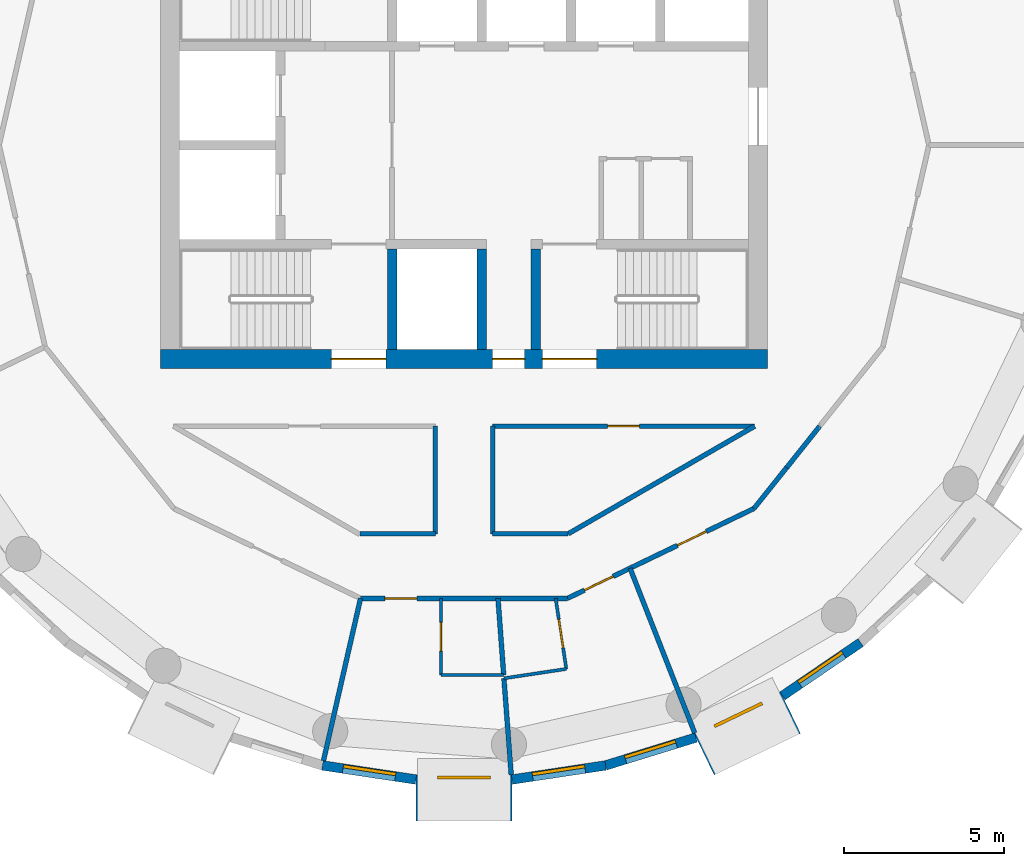
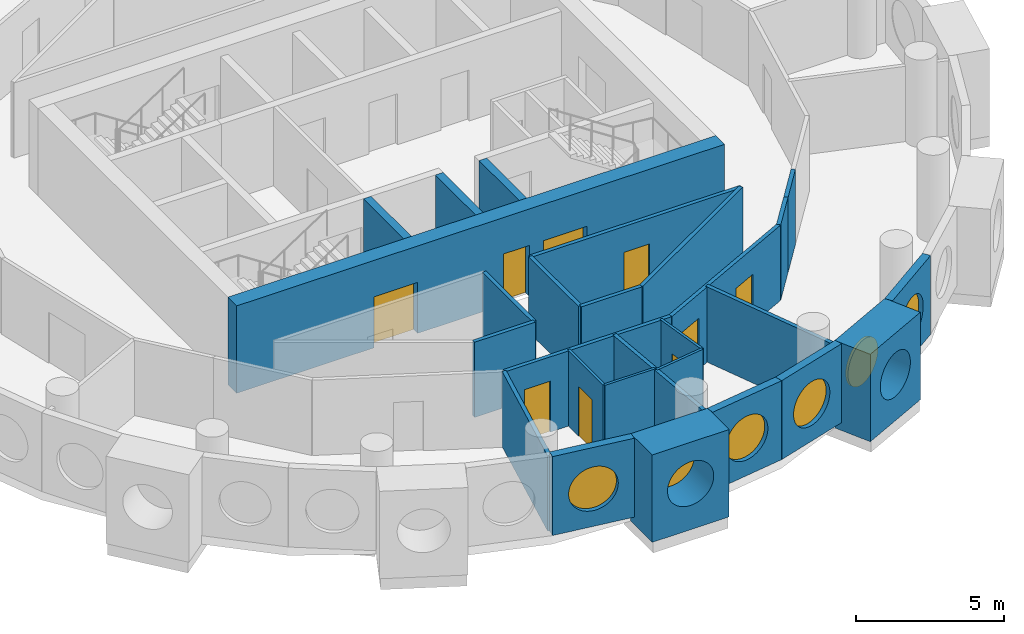
# One storey, part 4 of 13: 28 walls, 9 doors, 6 windows, 15 openings.
"""IFC4 building model written with IfcOpenShell, lengths in metres."""

from ifc_helpers import new_model, si_unit, direction, frame, frame_2d, origin, origin_2d, place, context, subcontext, project, spatial, rectangle, circle, extrude, material, layer, layer_set, type_object, element, fill, save


model = new_model("IFC4")

# Units and contexts
model_context = context("Model", 3, precision=1e-05, world=origin(), true_north=direction((0.0, 1.0)))
body_context = subcontext(model_context, "Body", "Model", "MODEL_VIEW")
ifc_project = project(units=[si_unit("LENGTHUNIT", "METRE"), si_unit("AREAUNIT", "SQUARE_METRE"), si_unit("VOLUMEUNIT", "CUBIC_METRE"), si_unit("PLANEANGLEUNIT", "RADIAN"), si_unit("MASSUNIT", "GRAM", prefix="KILO")], contexts=[model_context])

# Site, building, storey
site_placement = place(None, origin())
site = spatial("IfcSite", under=ifc_project, at=site_placement, CompositionType="ELEMENT")
building_placement = place(site_placement, origin())
building = spatial("IfcBuilding", under=site, at=building_placement, Name="Tracery Tower", CompositionType="ELEMENT")
storey_placement = place(building_placement, frame((0.0, 0.0, 270.60009765625)))
storey = spatial("IfcBuildingStorey", under=building, at=storey_placement, Name="L70", CompositionType="ELEMENT", Elevation=270.60009765625)

# Wall, openings, doors
ifc_material_1 = material(Name="Concrete C40/50", Category="concrete")
ifc_layer_1 = layer(ifc_material_1, 0.60009765625)
ifc_layer_set_1 = layer_set([ifc_layer_1], Name="Core wall 600 C40")
wall_type_1 = type_object("IfcWallType", Name="Core wall 600 C40", PredefinedType="SOLIDWALL", material=ifc_layer_set_1)
wall_1_placement = place(storey_placement, frame((-9.5, -6.699951171875, 0.0), z_axis=(0.0, 0.0, 1.0), x_axis=(1.0, 0.0, 0.0)))
wall_1 = element("IfcWall", 1, at=wall_1_placement, inside=storey, type_object=wall_type_1, Name="L70 outer S", PredefinedType="SOLIDWALL", context=body_context, shape_type="SweptSolid", body=[
    extrude(rectangle(XDim=19.0, YDim=0.60009765625, at=frame_2d((9.5, 0.0))), origin(), (0.0, 0.0, 1.0), 3.599853515625),
])
opening_1_placement = place(wall_1_placement, frame((10.39990234375, 0.0, 0.0)))
opening_1 = element("IfcOpeningElement", 2, at=opening_1_placement, cuts=wall_1, Name="Opening KD16", PredefinedType="OPENING", context=body_context, shape_type="SweptSolid", body=[
    extrude(rectangle(XDim=1.0, YDim=2.10009765625, at=frame_2d((0.5, 1.050048828125))), frame((0.0, 0.300048828125, 0.0), z_axis=(0.0, -1.0, 0.0), x_axis=(1.0, 0.0, 0.0)), (0.0, 0.0, 1.0), 0.60009765625),
])
opening_2_placement = place(wall_1_placement, frame((5.35009765625, 0.0, 0.0)))
opening_2 = element("IfcOpeningElement", 3, at=opening_2_placement, cuts=wall_1, Name="Opening KD3", PredefinedType="OPENING", context=body_context, shape_type="SweptSolid", body=[
    extrude(rectangle(XDim=1.699951171875, YDim=2.10009765625, at=frame_2d((0.85009765625, 1.050048828125))), frame((0.0, 0.300048828125, 0.0), z_axis=(0.0, -1.0, 0.0), x_axis=(1.0, 0.0, 0.0)), (0.0, 0.0, 1.0), 0.60009765625),
])
opening_3_placement = place(wall_1_placement, frame((11.949951171875, 0.0, 0.0)))
opening_3 = element("IfcOpeningElement", 4, at=opening_3_placement, cuts=wall_1, Name="Opening KD3", PredefinedType="OPENING", context=body_context, shape_type="SweptSolid", body=[
    extrude(rectangle(XDim=1.699951171875, YDim=2.10009765625, at=frame_2d((0.85009765625, 1.050048828125))), frame((0.0, 0.300048828125, 0.0), z_axis=(0.0, -1.0, 0.0), x_axis=(1.0, 0.0, 0.0)), (0.0, 0.0, 1.0), 0.60009765625),
])
ifc_material_2 = material(Name="Steel fire door", Category="steel")
door_type_1 = type_object("IfcDoorType", Name="Core exit door 1000", OperationType="NOTDEFINED", PredefinedType="DOOR", material=ifc_material_2)
door_1_placement = place(opening_1_placement, origin())
door_1 = element("IfcDoor", 5, at=door_1_placement, inside=storey, type_object=door_type_1, Name="Core exit door", OperationType="SINGLE_SWING_LEFT", OverallHeight=2.10009765625, OverallWidth=1.0, PredefinedType="DOOR", context=body_context, shape_type="SweptSolid", body=[
    extrude(rectangle(XDim=1.0, YDim=2.10009765625, at=frame_2d((0.5, 1.050048828125))), frame((0.0, 0.02490234375, 0.0), z_axis=(0.0, -1.0, 0.0), x_axis=(1.0, 0.0, 0.0)), (0.0, 0.0, 1.0), 0.050048828125),
])
fill(opening_1, door_1)
ifc_material_3 = material(Name="Steel fire door", Category="steel")
door_type_2 = type_object("IfcDoorType", Name="Core stair door 1700 double", OperationType="NOTDEFINED", PredefinedType="DOOR", material=ifc_material_3)
door_2_placement = place(opening_2_placement, origin())
door_2 = element("IfcDoor", 6, at=door_2_placement, inside=storey, type_object=door_type_2, Name="Stair door ST1 exit", OperationType="DOUBLE_DOOR_SINGLE_SWING", OverallHeight=2.10009765625, OverallWidth=1.699951171875, PredefinedType="DOOR", context=body_context, shape_type="SweptSolid", body=[
    extrude(rectangle(XDim=1.699951171875, YDim=2.10009765625, at=frame_2d((0.85009765625, 1.050048828125))), frame((0.0, 0.02490234375, 0.0), z_axis=(0.0, -1.0, 0.0), x_axis=(1.0, 0.0, 0.0)), (0.0, 0.0, 1.0), 0.050048828125),
])
fill(opening_2, door_2)
door_3_placement = place(opening_3_placement, origin())
door_3 = element("IfcDoor", 7, at=door_3_placement, inside=storey, type_object=door_type_2, Name="Stair door ST2 exit", OperationType="DOUBLE_DOOR_SINGLE_SWING", OverallHeight=2.10009765625, OverallWidth=1.699951171875, PredefinedType="DOOR", context=body_context, shape_type="SweptSolid", body=[
    extrude(rectangle(XDim=1.699951171875, YDim=2.10009765625, at=frame_2d((0.85009765625, 1.050048828125))), frame((0.0, 0.02490234375, 0.0), z_axis=(0.0, -1.0, 0.0), x_axis=(1.0, 0.0, 0.0)), (0.0, 0.0, 1.0), 0.050048828125),
])
fill(opening_3, door_3)

# Wall, opening, window
ifc_material_4 = material(Name="Precast concrete C50/60", Category="concrete")
ifc_layer_2 = layer(ifc_material_4, 1.449951171875)
ifc_layer_set_2 = layer_set([ifc_layer_2], Name="Deep-set bay unit 3000 x 3600, slab edge 350")
wall_type_2 = type_object("IfcWallType", Name="Deep-set bay unit 3000 x 3600, slab edge 350", PredefinedType="ELEMENTEDWALL", material=ifc_layer_set_2)
wall_2_placement = place(storey_placement, frame((-1.5, -20.441162109375, -0.35009765625), z_axis=(0.0, 0.0, 1.0), x_axis=(1.0, 0.0, 0.0)))
wall_2 = element("IfcWall", 8, at=wall_2_placement, inside=storey, type_object=wall_type_2, Name="Deep-set bay unit 32 at L70", PredefinedType="ELEMENTEDWALL", context=body_context, shape_type="SweptSolid", body=[
    extrude(rectangle(XDim=3.0, YDim=1.449951171875, at=frame_2d((1.5, 0.0))), origin(), (0.0, 0.0, 1.0), 3.60009765625),
])
opening_4_placement = place(wall_2_placement, frame((1.5, 0.0, 1.89990234375)))
opening_4 = element("IfcOpeningElement", 9, at=opening_4_placement, cuts=wall_2, Name="Opening WN1", PredefinedType="OPENING", context=body_context, shape_type="SweptSolid", body=[
    extrude(circle(Radius=0.9000244140625, at=origin_2d()), frame((0.0, 0.73486328125, 0.0), z_axis=(0.0, -1.0, 0.0), x_axis=(1.0, 0.0, 0.0)), (0.0, 0.0, 1.0), 1.469970703125),
])
ifc_material_5 = material(Name="Aluminium frame with tinted double glazing", Category="aluminium")
window_type = type_object("IfcWindowType", Name="Round window 1800", PartitioningType="SINGLE_PANEL", PredefinedType="WINDOW", material=ifc_material_5)
window_1_placement = place(opening_4_placement, origin())
window_1 = element("IfcWindow", 10, at=window_1_placement, inside=storey, type_object=window_type, Name="Round window 32 at L70", OverallHeight=1.800048828125, OverallWidth=1.800048828125, PartitioningType="SINGLE_PANEL", PredefinedType="WINDOW", context=body_context, shape_type="SweptSolid", body=[
    extrude(circle(Radius=0.9000244140625, at=origin_2d()), frame((0.0, 0.69482421875, 0.0), z_axis=(0.0, -1.0, 0.0), x_axis=(1.0, 0.0, 0.0)), (0.0, 0.0, 1.0), 0.10009765625),
])
fill(opening_4, window_1)

wall_3_placement = place(storey_placement, frame((7.517578125, -19.067626953125, -0.35009765625), z_axis=(0.0, 0.0, 1.0), x_axis=(0.900953362039, 0.433915935904, 0.0)))
wall_3 = element("IfcWall", 11, at=wall_3_placement, inside=storey, type_object=wall_type_2, Name="Deep-set bay unit 35 at L70", PredefinedType="ELEMENTEDWALL", context=body_context, shape_type="SweptSolid", body=[
    extrude(rectangle(XDim=3.0, YDim=1.449951171875, at=frame_2d((1.5, 0.0))), origin(), (0.0, 0.0, 1.0), 3.60009765625),
])
opening_5_placement = place(wall_3_placement, frame((1.5, 0.0, 1.89990234375)))
opening_5 = element("IfcOpeningElement", 12, at=opening_5_placement, cuts=wall_3, Name="Opening WN1", PredefinedType="OPENING", context=body_context, shape_type="SweptSolid", body=[
    extrude(circle(Radius=0.9000244140625, at=origin_2d()), frame((0.0, 0.73486328125, 0.0), z_axis=(0.0, -1.0, 0.0), x_axis=(1.0, 0.0, 0.0)), (0.0, 0.0, 1.0), 1.469970703125),
])
window_2_placement = place(opening_5_placement, origin())
window_2 = element("IfcWindow", 13, at=window_2_placement, inside=storey, type_object=window_type, Name="Round window 35 at L70", OverallHeight=1.800048828125, OverallWidth=1.800048828125, PartitioningType="SINGLE_PANEL", PredefinedType="WINDOW", context=body_context, shape_type="SweptSolid", body=[
    extrude(circle(Radius=0.9000244140625, at=origin_2d()), frame((0.0, 0.69482421875, 0.0), z_axis=(0.0, -1.0, 0.0), x_axis=(1.0, 0.0, 0.0)), (0.0, 0.0, 1.0), 0.10009765625),
])
fill(opening_5, window_2)

ifc_material_6 = material(Name="Precast concrete C50/60", Category="concrete")
ifc_layer_3 = layer(ifc_material_6, 0.300048828125)
ifc_layer_set_3 = layer_set([ifc_layer_3], Name="Facade panel 3000 x 3250")
wall_type_3 = type_object("IfcWallType", Name="Facade panel 3000 x 3250", PredefinedType="SOLIDWALL", material=ifc_layer_set_3)
wall_4_placement = place(storey_placement, frame((-4.43310546875, -19.42236328125, 0.0), z_axis=(0.0, 0.0, 1.0), x_axis=(0.988835775663, -0.149009425104, 0.0)))
wall_4 = element("IfcWall", 14, at=wall_4_placement, inside=storey, type_object=wall_type_3, Name="Facade panel 31 at L70", PredefinedType="SOLIDWALL", context=body_context, shape_type="SweptSolid", body=[
    extrude(rectangle(XDim=2.962158203125, YDim=0.300048828125, at=frame_2d((1.48095703125, 0.0))), origin(), (0.0, 0.0, 1.0), 3.25),
])
opening_6_placement = place(wall_4_placement, frame((1.48095703125, 0.0, 1.5498046875)))
opening_6 = element("IfcOpeningElement", 15, at=opening_6_placement, cuts=wall_4, Name="Opening WN1", PredefinedType="OPENING", context=body_context, shape_type="SweptSolid", body=[
    extrude(circle(Radius=0.9000244140625, at=origin_2d()), frame((0.0, 0.159912109375, 0.0), z_axis=(0.0, -1.0, 0.0), x_axis=(1.0, 0.0, 0.0)), (0.0, 0.0, 1.0), 0.320068359375),
])
window_3_placement = place(opening_6_placement, origin())
window_3 = element("IfcWindow", 16, at=window_3_placement, inside=storey, type_object=window_type, Name="Round window 31 at L70", OverallHeight=1.800048828125, OverallWidth=1.800048828125, PartitioningType="SINGLE_PANEL", PredefinedType="WINDOW", context=body_context, shape_type="SweptSolid", body=[
    extrude(circle(Radius=0.9000244140625, at=origin_2d()), frame((0.0, 0.1201171875, 0.0), z_axis=(0.0, -1.0, 0.0), x_axis=(1.0, 0.0, 0.0)), (0.0, 0.0, 1.0), 0.10009765625),
])
fill(opening_6, window_3)

wall_5_placement = place(storey_placement, frame((1.50390625, -19.86376953125, 0.0), z_axis=(0.0, 0.0, 1.0), x_axis=(0.988835775663, 0.149009425104, 0.0)))
wall_5 = element("IfcWall", 17, at=wall_5_placement, inside=storey, type_object=wall_type_3, Name="Facade panel 33 at L70", PredefinedType="SOLIDWALL", context=body_context, shape_type="SweptSolid", body=[
    extrude(rectangle(XDim=2.962158203125, YDim=0.300048828125, at=frame_2d((1.48095703125, 0.0))), origin(), (0.0, 0.0, 1.0), 3.25),
])
opening_7_placement = place(wall_5_placement, frame((1.48095703125, 0.0, 1.5498046875)))
opening_7 = element("IfcOpeningElement", 18, at=opening_7_placement, cuts=wall_5, Name="Opening WN1", PredefinedType="OPENING", context=body_context, shape_type="SweptSolid", body=[
    extrude(circle(Radius=0.9000244140625, at=origin_2d()), frame((0.0, 0.159912109375, 0.0), z_axis=(0.0, -1.0, 0.0), x_axis=(1.0, 0.0, 0.0)), (0.0, 0.0, 1.0), 0.320068359375),
])
window_4_placement = place(opening_7_placement, origin())
window_4 = element("IfcWindow", 19, at=window_4_placement, inside=storey, type_object=window_type, Name="Round window 33 at L70", OverallHeight=1.800048828125, OverallWidth=1.800048828125, PartitioningType="SINGLE_PANEL", PredefinedType="WINDOW", context=body_context, shape_type="SweptSolid", body=[
    extrude(circle(Radius=0.9000244140625, at=origin_2d()), frame((0.0, 0.1201171875, 0.0), z_axis=(0.0, -1.0, 0.0), x_axis=(1.0, 0.0, 0.0)), (0.0, 0.0, 1.0), 0.10009765625),
])
fill(opening_7, window_4)

wall_6_placement = place(storey_placement, frame((4.43310546875, -19.42236328125, 0.0), z_axis=(0.0, 0.0, 1.0), x_axis=(0.955555982805, 0.29480970765, 0.0)))
wall_6 = element("IfcWall", 20, at=wall_6_placement, inside=storey, type_object=wall_type_3, Name="Facade panel 34 at L70", PredefinedType="SOLIDWALL", context=body_context, shape_type="SweptSolid", body=[
    extrude(rectangle(XDim=2.962158203125, YDim=0.300048828125, at=frame_2d((1.48095703125, 0.0))), origin(), (0.0, 0.0, 1.0), 3.25),
])
opening_8_placement = place(wall_6_placement, frame((1.48095703125, 0.0, 1.5498046875)))
opening_8 = element("IfcOpeningElement", 21, at=opening_8_placement, cuts=wall_6, Name="Opening WN1", PredefinedType="OPENING", context=body_context, shape_type="SweptSolid", body=[
    extrude(circle(Radius=0.9000244140625, at=origin_2d()), frame((0.0, 0.159912109375, 0.0), z_axis=(0.0, -1.0, 0.0), x_axis=(1.0, 0.0, 0.0)), (0.0, 0.0, 1.0), 0.320068359375),
])
window_5_placement = place(opening_8_placement, origin())
window_5 = element("IfcWindow", 22, at=window_5_placement, inside=storey, type_object=window_type, Name="Round window 34 at L70", OverallHeight=1.800048828125, OverallWidth=1.800048828125, PartitioningType="SINGLE_PANEL", PredefinedType="WINDOW", context=body_context, shape_type="SweptSolid", body=[
    extrude(circle(Radius=0.9000244140625, at=origin_2d()), frame((0.0, 0.1201171875, 0.0), z_axis=(0.0, -1.0, 0.0), x_axis=(1.0, 0.0, 0.0)), (0.0, 0.0, 1.0), 0.10009765625),
])
fill(opening_8, window_5)

wall_7_placement = place(storey_placement, frame((9.9736328125, -17.244140625, 0.0), z_axis=(0.0, 0.0, 1.0), x_axis=(0.826236061068, 0.563324037646, 0.0)))
wall_7 = element("IfcWall", 23, at=wall_7_placement, inside=storey, type_object=wall_type_3, Name="Facade panel 36 at L70", PredefinedType="SOLIDWALL", context=body_context, shape_type="SweptSolid", body=[
    extrude(rectangle(XDim=2.962158203125, YDim=0.300048828125, at=frame_2d((1.48095703125, 0.0))), origin(), (0.0, 0.0, 1.0), 3.25),
])
opening_9_placement = place(wall_7_placement, frame((1.48095703125, 0.0, 1.5498046875)))
opening_9 = element("IfcOpeningElement", 24, at=opening_9_placement, cuts=wall_7, Name="Opening WN1", PredefinedType="OPENING", context=body_context, shape_type="SweptSolid", body=[
    extrude(circle(Radius=0.9000244140625, at=origin_2d()), frame((0.0, 0.159912109375, 0.0), z_axis=(0.0, -1.0, 0.0), x_axis=(1.0, 0.0, 0.0)), (0.0, 0.0, 1.0), 0.320068359375),
])
window_6_placement = place(opening_9_placement, origin())
window_6 = element("IfcWindow", 25, at=window_6_placement, inside=storey, type_object=window_type, Name="Round window 36 at L70", OverallHeight=1.800048828125, OverallWidth=1.800048828125, PartitioningType="SINGLE_PANEL", PredefinedType="WINDOW", context=body_context, shape_type="SweptSolid", body=[
    extrude(circle(Radius=0.9000244140625, at=origin_2d()), frame((0.0, 0.1201171875, 0.0), z_axis=(0.0, -1.0, 0.0), x_axis=(1.0, 0.0, 0.0)), (0.0, 0.0, 1.0), 0.10009765625),
])
fill(opening_9, window_6)

# Wall, opening, door
ifc_material_7 = material(Name="Plasterboard on steel studs", Category="steel")
ifc_layer_4 = layer(ifc_material_7, 0.10009765625)
ifc_layer_set_4 = layer_set([ifc_layer_4], Name="Partition 100 wet wall")
wall_type_4 = type_object("IfcWallType", Name="Partition 100 wet wall", PredefinedType="PARTITIONING", material=ifc_layer_set_4)
wall_8_placement = place(storey_placement, frame((-0.721923828125, -16.592041015625, 0.0), z_axis=(0.0, 0.0, 1.0), x_axis=(0.0, 1.0, 0.0)))
wall_8 = element("IfcWall", 26, at=wall_8_placement, inside=storey, type_object=wall_type_4, Name="Wet wall RC5-049", PredefinedType="PARTITIONING", context=body_context, shape_type="SweptSolid", body=[
    extrude(rectangle(XDim=2.400146484375, YDim=0.10009765625, at=frame_2d((1.2001953125, 0.0))), origin(), (0.0, 0.0, 1.0), 3.099853515625),
])
opening_10_placement = place(wall_8_placement, frame((0.75, 0.0, 0.0)))
opening_10 = element("IfcOpeningElement", 27, at=opening_10_placement, cuts=wall_8, Name="Opening RC5-09", PredefinedType="OPENING", context=body_context, shape_type="SweptSolid", body=[
    extrude(rectangle(XDim=0.89990234375, YDim=2.0400390625, at=frame_2d((0.449951171875, 1.02001953125))), frame((0.0, 0.050048828125, 0.0), z_axis=(0.0, -1.0, 0.0), x_axis=(1.0, 0.0, 0.0)), (0.0, 0.0, 1.0), 0.10009765625),
])
ifc_material_8 = material(Name="Timber door leaf", Category="wood")
door_type_3 = type_object("IfcDoorType", Name="Door en-suite 900", OperationType="NOTDEFINED", PredefinedType="DOOR", material=ifc_material_8)
door_4_placement = place(opening_10_placement, origin())
door_4 = element("IfcDoor", 28, at=door_4_placement, inside=storey, type_object=door_type_3, Name="En-suite door RC5-09", OperationType="SINGLE_SWING_RIGHT", OverallHeight=2.0400390625, OverallWidth=0.89990234375, PredefinedType="DOOR", context=body_context, shape_type="SweptSolid", body=[
    extrude(rectangle(XDim=0.89990234375, YDim=2.0400390625, at=frame_2d((0.449951171875, 1.02001953125))), frame((0.0, 0.02490234375, 0.0), z_axis=(0.0, -1.0, 0.0), x_axis=(1.0, 0.0, 0.0)), (0.0, 0.0, 1.0), 0.050048828125),
])
fill(opening_10, door_4)

# Walls
wall_9_placement = place(storey_placement, frame((-0.721923828125, -16.592041015625, 0.0), z_axis=(0.0, 0.0, 1.0), x_axis=(1.0, 0.0, 0.0)))
element("IfcWall", 29, at=wall_9_placement, inside=storey, type_object=wall_type_4, Name="Wet wall RC5-050", PredefinedType="PARTITIONING", context=body_context, shape_type="SweptSolid", body=[
    extrude(rectangle(XDim=1.96484375, YDim=0.10009765625, at=frame_2d((0.982421875, 0.0))), origin(), (0.0, 0.0, 1.0), 3.099853515625),
])
wall_10_placement = place(storey_placement, frame((1.2509765625, -16.695068359375, 0.0), z_axis=(0.0, 0.0, 1.0), x_axis=(0.988831780565, 0.149035934407, 0.0)))
element("IfcWall", 30, at=wall_10_placement, inside=storey, type_object=wall_type_4, Name="Wet wall RC5-053", PredefinedType="PARTITIONING", context=body_context, shape_type="SweptSolid", body=[
    extrude(rectangle(XDim=1.973876953125, YDim=0.10009765625, at=frame_2d((0.98681640625, 0.0))), origin(), (0.0, 0.0, 1.0), 3.099853515625),
])

# Wall, opening, door
wall_11_placement = place(storey_placement, frame((2.8701171875, -14.19189453125, 0.0), z_axis=(0.0, 0.0, 1.0), x_axis=(0.148960349288, -0.988843169739, 0.0)))
wall_11 = element("IfcWall", 31, at=wall_11_placement, inside=storey, type_object=wall_type_4, Name="Wet wall RC5-054", PredefinedType="PARTITIONING", context=body_context, shape_type="SweptSolid", body=[
    extrude(rectangle(XDim=2.23388671875, YDim=0.10009765625, at=frame_2d((1.116943359375, 0.0))), origin(), (0.0, 0.0, 1.0), 3.099853515625),
])
opening_11_placement = place(wall_11_placement, frame((0.6669921875, 0.0, 0.0)))
opening_11 = element("IfcOpeningElement", 32, at=opening_11_placement, cuts=wall_11, Name="Opening RC5-11", PredefinedType="OPENING", context=body_context, shape_type="SweptSolid", body=[
    extrude(rectangle(XDim=0.89990234375, YDim=2.0400390625, at=frame_2d((0.449951171875, 1.02001953125))), frame((0.0, 0.050048828125, 0.0), z_axis=(0.0, -1.0, 0.0), x_axis=(1.0, 0.0, 0.0)), (0.0, 0.0, 1.0), 0.10009765625),
])
door_5_placement = place(opening_11_placement, origin())
door_5 = element("IfcDoor", 33, at=door_5_placement, inside=storey, type_object=door_type_3, Name="En-suite door RC5-11", OperationType="SINGLE_SWING_RIGHT", OverallHeight=2.0400390625, OverallWidth=0.89990234375, PredefinedType="DOOR", context=body_context, shape_type="SweptSolid", body=[
    extrude(rectangle(XDim=0.89990234375, YDim=2.0400390625, at=frame_2d((0.449951171875, 1.02001953125))), frame((0.0, 0.02490234375, 0.0), z_axis=(0.0, -1.0, 0.0), x_axis=(1.0, 0.0, 0.0)), (0.0, 0.0, 1.0), 0.050048828125),
])
fill(opening_11, door_5)

# Walls
ifc_material_9 = material(Name="Plasterboard on steel studs", Category="steel")
ifc_layer_5 = layer(ifc_material_9, 0.14990234375)
ifc_layer_set_5 = layer_set([ifc_layer_5], Name="Partition 150 acoustic unit wall")
wall_type_5 = type_object("IfcWallType", Name="Partition 150 acoustic unit wall", PredefinedType="PARTITIONING", material=ifc_layer_set_5)
wall_12_placement = place(storey_placement, frame((-4.39990234375, -19.27587890625, 0.0), z_axis=(0.0, 0.0, 1.0), x_axis=(0.222612505682, 0.974907007008, 0.0)))
element("IfcWall", 34, at=wall_12_placement, inside=storey, type_object=wall_type_5, Name="Unit wall RC5-048", PredefinedType="PARTITIONING", context=body_context, shape_type="SweptSolid", body=[
    extrude(rectangle(XDim=5.21484375, YDim=0.14990234375, at=frame_2d((2.607421875, 0.0))), origin(), (0.0, 0.0, 1.0), 3.099853515625),
])
wall_13_placement = place(storey_placement, frame((1.25, -16.69091796875, 0.0), z_axis=(0.0, 0.0, 1.0), x_axis=(0.075164061246, -0.99717118084, 0.0)))
element("IfcWall", 35, at=wall_13_placement, inside=storey, type_object=wall_type_5, Name="Unit wall RC5-051", PredefinedType="PARTITIONING", context=body_context, shape_type="SweptSolid", body=[
    extrude(rectangle(XDim=3.03369140625, YDim=0.14990234375, at=frame_2d((1.516845703125, 0.0))), origin(), (0.0, 0.0, 1.0), 3.099853515625),
])
wall_14_placement = place(storey_placement, frame((1.06396484375, -14.19189453125, 0.0), z_axis=(0.0, 0.0, 1.0), x_axis=(0.074353677934, -0.997231934195, 0.0)))
element("IfcWall", 36, at=wall_14_placement, inside=storey, type_object=wall_type_5, Name="Unit wall RC5-052", PredefinedType="PARTITIONING", context=body_context, shape_type="SweptSolid", body=[
    extrude(rectangle(XDim=2.40673828125, YDim=0.14990234375, at=frame_2d((1.203369140625, 0.0))), origin(), (0.0, 0.0, 1.0), 3.099853515625),
])
wall_15_placement = place(storey_placement, frame((5.198974609375, -13.248046875, 0.0), z_axis=(0.0, 0.0, 1.0), x_axis=(0.365334662456, -0.930876245485, 0.0)))
element("IfcWall", 37, at=wall_15_placement, inside=storey, type_object=wall_type_5, Name="Unit wall RC5-055", PredefinedType="PARTITIONING", context=body_context, shape_type="SweptSolid", body=[
    extrude(rectangle(XDim=5.5400390625, YDim=0.14990234375, at=frame_2d((2.77001953125, 0.0))), origin(), (0.0, 0.0, 1.0), 3.099853515625),
])

# Wall, opening, door
ifc_material_10 = material(Name="Plasterboard on steel studs", Category="steel")
ifc_layer_6 = layer(ifc_material_10, 0.14990234375)
ifc_layer_set_6 = layer_set([ifc_layer_6], Name="Partition 150 corridor wall")
wall_type_6 = type_object("IfcWallType", Name="Partition 150 corridor wall", PredefinedType="PARTITIONING", material=ifc_layer_set_6)
wall_16_placement = place(storey_placement, frame((0.89599609375, -8.800048828125, 0.0), z_axis=(0.0, 0.0, 1.0), x_axis=(1.0, 0.0, 0.0)))
wall_16 = element("IfcWall", 38, at=wall_16_placement, inside=storey, type_object=wall_type_6, Name="Corridor wall RC5-013", PredefinedType="PARTITIONING", context=body_context, shape_type="SweptSolid", body=[
    extrude(rectangle(XDim=8.20458984375, YDim=0.14990234375, at=frame_2d((4.102294921875, 0.0))), origin(), (0.0, 0.0, 1.0), 3.099853515625),
])
opening_12_placement = place(wall_16_placement, frame((3.597900390625, 0.0, 0.0)))
opening_12 = element("IfcOpeningElement", 39, at=opening_12_placement, cuts=wall_16, Name="Opening RC5-03", PredefinedType="OPENING", context=body_context, shape_type="SweptSolid", body=[
    extrude(rectangle(XDim=1.0, YDim=2.0400390625, at=frame_2d((0.5, 1.02001953125))), frame((0.0, 0.074951171875, 0.0), z_axis=(0.0, -1.0, 0.0), x_axis=(1.0, 0.0, 0.0)), (0.0, 0.0, 1.0), 0.14990234375),
])
ifc_material_11 = material(Name="Timber door leaf", Category="wood")
door_type_4 = type_object("IfcDoorType", Name="Door communal room 1000", OperationType="NOTDEFINED", PredefinedType="DOOR", material=ifc_material_11)
door_6_placement = place(opening_12_placement, origin())
door_6 = element("IfcDoor", 40, at=door_6_placement, inside=storey, type_object=door_type_4, Name="Communal room door RC5-03", OperationType="SINGLE_SWING_RIGHT", OverallHeight=2.0400390625, OverallWidth=1.0, PredefinedType="DOOR", context=body_context, shape_type="SweptSolid", body=[
    extrude(rectangle(XDim=1.0, YDim=2.0400390625, at=frame_2d((0.5, 1.02001953125))), frame((0.0, 0.02490234375, 0.0), z_axis=(0.0, -1.0, 0.0), x_axis=(1.0, 0.0, 0.0)), (0.0, 0.0, 1.0), 0.050048828125),
])
fill(opening_12, door_6)

# Walls
wall_17_placement = place(storey_placement, frame((10.10107421875, -10.10107421875, 0.0), z_axis=(0.0, 0.0, 1.0), x_axis=(0.623098344652, 0.782143498913, 0.0)))
element("IfcWall", 41, at=wall_17_placement, inside=storey, type_object=wall_type_6, Name="Corridor wall RC5-019", PredefinedType="PARTITIONING", context=body_context, shape_type="SweptSolid", body=[
    extrude(rectangle(XDim=1.660888671875, YDim=0.14990234375, at=frame_2d((0.83056640625, 0.0))), origin(), (0.0, 0.0, 1.0), 3.099853515625),
])
wall_18_placement = place(storey_placement, frame((-3.260986328125, -12.1708984375, 0.0), z_axis=(0.0, 0.0, 1.0), x_axis=(1.0, 0.0, 0.0)))
element("IfcWall", 42, at=wall_18_placement, inside=storey, type_object=wall_type_6, Name="Corridor wall RC5-034", PredefinedType="PARTITIONING", context=body_context, shape_type="SweptSolid", body=[
    extrude(rectangle(XDim=2.361083984375, YDim=0.14990234375, at=frame_2d((1.1806640625, 0.0))), origin(), (0.0, 0.0, 1.0), 3.099853515625),
])
for number, where, z_axis, x_axis, name in (
    (43, (-0.89990234375, -12.1708984375, 0.0), (0.0, 0.0, 1.0), (0.0, 1.0, 0.0), "Corridor wall RC5-035"),
    (44, (0.89990234375, -12.1708984375, 0.0), (0.0, 0.0, 1.0), (0.0, 1.0, 0.0), "Corridor wall RC5-036"),
):
    element("IfcWall", number, at=place(storey_placement, frame(where, z_axis=z_axis, x_axis=x_axis)), inside=storey, type_object=wall_type_6, Name=name, PredefinedType="PARTITIONING", context=body_context, shape_type="SweptSolid", body=[
        extrude(rectangle(XDim=3.370849609375, YDim=0.14990234375, at=frame_2d((1.685546875, 0.0))), origin(), (0.0, 0.0, 1.0), 3.099853515625),
    ])
wall_19_placement = place(storey_placement, frame((0.89990234375, -12.1708984375, 0.0), z_axis=(0.0, 0.0, 1.0), x_axis=(1.0, 0.0, 0.0)))
element("IfcWall", 45, at=wall_19_placement, inside=storey, type_object=wall_type_6, Name="Corridor wall RC5-037", PredefinedType="PARTITIONING", context=body_context, shape_type="SweptSolid", body=[
    extrude(rectangle(XDim=2.361083984375, YDim=0.14990234375, at=frame_2d((1.1806640625, 0.0))), origin(), (0.0, 0.0, 1.0), 3.099853515625),
])
wall_20_placement = place(storey_placement, frame((3.260986328125, -12.1708984375, 0.0), z_axis=(0.0, 0.0, 1.0), x_axis=(0.866066809554, 0.499928276245, 0.0)))
element("IfcWall", 46, at=wall_20_placement, inside=storey, type_object=wall_type_6, Name="Corridor wall RC5-038", PredefinedType="PARTITIONING", context=body_context, shape_type="SweptSolid", body=[
    extrude(rectangle(XDim=6.74267578125, YDim=0.14990234375, at=frame_2d((3.371337890625, 0.0))), origin(), (0.0, 0.0, 1.0), 3.099853515625),
])

# Wall, opening, door
wall_21_placement = place(storey_placement, frame((-3.239013671875, -14.19189453125, 0.0), z_axis=(0.0, 0.0, 1.0), x_axis=(1.0, 0.0, 0.0)))
wall_21 = element("IfcWall", 47, at=wall_21_placement, inside=storey, type_object=wall_type_6, Name="Corridor wall RC5-040", PredefinedType="PARTITIONING", context=body_context, shape_type="SweptSolid", body=[
    extrude(rectangle(XDim=6.47802734375, YDim=0.14990234375, at=frame_2d((3.239013671875, 0.0))), origin(), (0.0, 0.0, 1.0), 3.099853515625),
])
opening_13_placement = place(wall_21_placement, frame((0.760986328125, 0.0, 0.0)))
opening_13 = element("IfcOpeningElement", 48, at=opening_13_placement, cuts=wall_21, Name="Opening RC5-10", PredefinedType="OPENING", context=body_context, shape_type="SweptSolid", body=[
    extrude(rectangle(XDim=1.0, YDim=2.10009765625, at=frame_2d((0.5, 1.050048828125))), frame((0.0, 0.074951171875, 0.0), z_axis=(0.0, -1.0, 0.0), x_axis=(1.0, 0.0, 0.0)), (0.0, 0.0, 1.0), 0.14990234375),
])
ifc_material_12 = material(Name="Timber door leaf", Category="wood")
door_type_5 = type_object("IfcDoorType", Name="Door unit entrance 1000", OperationType="NOTDEFINED", PredefinedType="DOOR", material=ifc_material_12)
door_7_placement = place(opening_13_placement, origin())
door_7 = element("IfcDoor", 49, at=door_7_placement, inside=storey, type_object=door_type_5, Name="Unit entrance door RC5-10", OperationType="SINGLE_SWING_LEFT", OverallHeight=2.10009765625, OverallWidth=1.0, PredefinedType="DOOR", context=body_context, shape_type="SweptSolid", body=[
    extrude(rectangle(XDim=1.0, YDim=2.10009765625, at=frame_2d((0.5, 1.050048828125))), frame((0.0, 0.02490234375, 0.0), z_axis=(0.0, -1.0, 0.0), x_axis=(1.0, 0.0, 0.0)), (0.0, 0.0, 1.0), 0.050048828125),
])
fill(opening_13, door_7)

# Wall, openings, doors
wall_22_placement = place(storey_placement, frame((3.239013671875, -14.19189453125, 0.0), z_axis=(0.0, 0.0, 1.0), x_axis=(0.900851590682, 0.434127183629, 0.0)))
wall_22 = element("IfcWall", 50, at=wall_22_placement, inside=storey, type_object=wall_type_6, Name="Corridor wall RC5-041", PredefinedType="PARTITIONING", context=body_context, shape_type="SweptSolid", body=[
    extrude(rectangle(XDim=6.478515625, YDim=0.14990234375, at=frame_2d((3.2392578125, 0.0))), origin(), (0.0, 0.0, 1.0), 3.099853515625),
])
opening_14_placement = place(wall_22_placement, frame((0.589111328125, 0.0, 0.0)))
opening_14 = element("IfcOpeningElement", 51, at=opening_14_placement, cuts=wall_22, Name="Opening RC5-12", PredefinedType="OPENING", context=body_context, shape_type="SweptSolid", body=[
    extrude(rectangle(XDim=1.0, YDim=2.10009765625, at=frame_2d((0.5, 1.050048828125))), frame((0.0, 0.074951171875, 0.0), z_axis=(0.0, -1.0, 0.0), x_axis=(1.0, 0.0, 0.0)), (0.0, 0.0, 1.0), 0.14990234375),
])
opening_15_placement = place(wall_22_placement, frame((3.82470703125, 0.0, 0.0)))
opening_15 = element("IfcOpeningElement", 52, at=opening_15_placement, cuts=wall_22, Name="Opening RC5-13", PredefinedType="OPENING", context=body_context, shape_type="SweptSolid", body=[
    extrude(rectangle(XDim=1.0, YDim=2.0400390625, at=frame_2d((0.5, 1.02001953125))), frame((0.0, 0.074951171875, 0.0), z_axis=(0.0, -1.0, 0.0), x_axis=(1.0, 0.0, 0.0)), (0.0, 0.0, 1.0), 0.14990234375),
])
door_8_placement = place(opening_15_placement, origin())
door_8 = element("IfcDoor", 53, at=door_8_placement, inside=storey, type_object=door_type_4, Name="Communal room door RC5-13", OperationType="SINGLE_SWING_RIGHT", OverallHeight=2.0400390625, OverallWidth=1.0, PredefinedType="DOOR", context=body_context, shape_type="SweptSolid", body=[
    extrude(rectangle(XDim=1.0, YDim=2.0400390625, at=frame_2d((0.5, 1.02001953125))), frame((0.0, 0.02490234375, 0.0), z_axis=(0.0, -1.0, 0.0), x_axis=(1.0, 0.0, 0.0)), (0.0, 0.0, 1.0), 0.050048828125),
])
fill(opening_15, door_8)
door_9_placement = place(opening_14_placement, origin())
door_9 = element("IfcDoor", 54, at=door_9_placement, inside=storey, type_object=door_type_5, Name="Unit entrance door RC5-12", OperationType="SINGLE_SWING_RIGHT", OverallHeight=2.10009765625, OverallWidth=1.0, PredefinedType="DOOR", context=body_context, shape_type="SweptSolid", body=[
    extrude(rectangle(XDim=1.0, YDim=2.10009765625, at=frame_2d((0.5, 1.050048828125))), frame((0.0, 0.02490234375, 0.0), z_axis=(0.0, -1.0, 0.0), x_axis=(1.0, 0.0, 0.0)), (0.0, 0.0, 1.0), 0.050048828125),
])
fill(opening_14, door_9)

# Walls
wall_23_placement = place(storey_placement, frame((9.075927734375, -11.381103515625, 0.0), z_axis=(0.0, 0.0, 1.0), x_axis=(0.623805208652, 0.781579849829, 0.0)))
element("IfcWall", 55, at=wall_23_placement, inside=storey, type_object=wall_type_6, Name="Corridor wall RC5-042", PredefinedType="PARTITIONING", context=body_context, shape_type="SweptSolid", body=[
    extrude(rectangle(XDim=1.64013671875, YDim=0.14990234375, at=frame_2d((0.820068359375, 0.0))), origin(), (0.0, 0.0, 1.0), 3.099853515625),
])
ifc_material_13 = material(Name="Concrete C40/50", Category="concrete")
ifc_layer_7 = layer(ifc_material_13, 0.300048828125)
ifc_layer_set_7 = layer_set([ifc_layer_7], Name="Shaft wall 300 C40")
wall_type_7 = type_object("IfcWallType", Name="Shaft wall 300 C40", PredefinedType="SOLIDWALL", material=ifc_layer_set_7)
wall_24_placement = place(storey_placement, frame((0.550048828125, -6.39990234375, 0.0), z_axis=(0.0, 0.0, 1.0), x_axis=(0.0, 1.0, 0.0)))
element("IfcWall", 56, at=wall_24_placement, inside=storey, type_object=wall_type_7, Name="L70 OB2 E", PredefinedType="SOLIDWALL", context=body_context, shape_type="SweptSolid", body=[
    extrude(rectangle(XDim=3.14990234375, YDim=0.300048828125, at=frame_2d((1.574951171875, 0.0))), origin(), (0.0, 0.0, 1.0), 3.25),
])
ifc_material_14 = material(Name="Concrete C40/50", Category="concrete")
ifc_layer_8 = layer(ifc_material_14, 0.300048828125)
ifc_layer_set_8 = layer_set([ifc_layer_8], Name="Stair wall 300 C40")
wall_type_8 = type_object("IfcWallType", Name="Stair wall 300 C40", PredefinedType="SOLIDWALL", material=ifc_layer_set_8)
for number, where, z_axis, x_axis, name in (
    (57, (-2.25, -6.39990234375, 0.0), (0.0, 0.0, 1.0), (0.0, 1.0, 0.0), "L70 ST1 E"),
    (58, (2.25, -6.39990234375, 0.0), (0.0, 0.0, 1.0), (0.0, 1.0, 0.0), "L70 ST2 W"),
):
    element("IfcWall", number, at=place(storey_placement, frame(where, z_axis=z_axis, x_axis=x_axis)), inside=storey, type_object=wall_type_8, Name=name, PredefinedType="SOLIDWALL", context=body_context, shape_type="SweptSolid", body=[
        extrude(rectangle(XDim=3.14990234375, YDim=0.300048828125, at=frame_2d((1.574951171875, 0.0))), origin(), (0.0, 0.0, 1.0), 3.25),
    ])

save(model, "model.ifc")
